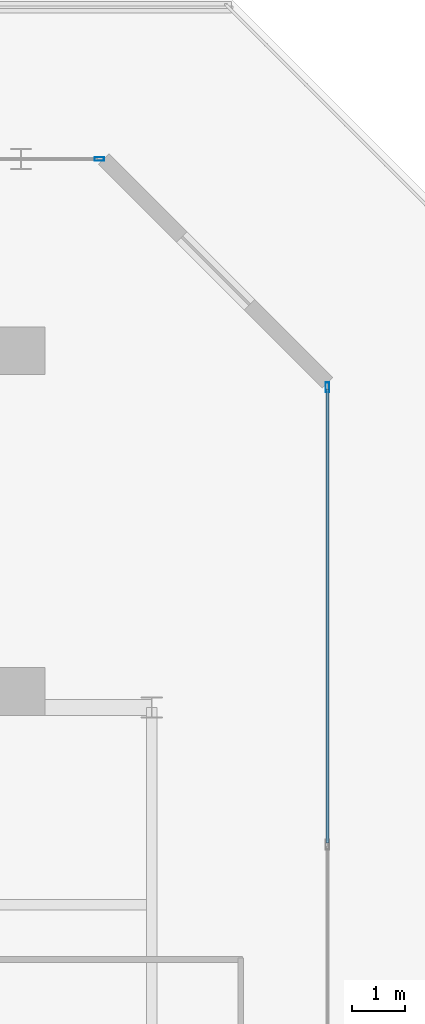
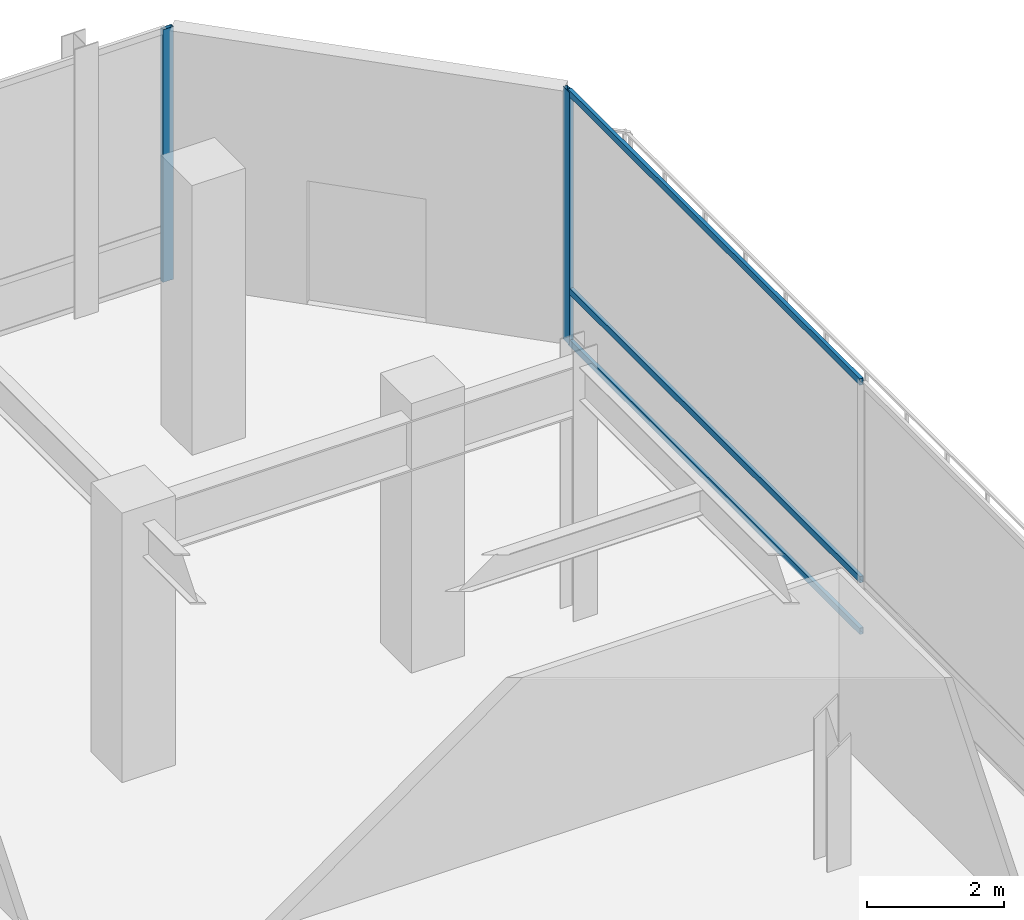
# One storey, part 24 of 39: 5 members, 2 elements without a shape of their own.
"""IFC4 building model written with IfcOpenShell, lengths in metres."""

from ifc_helpers import new_model, si_unit, direction, frame, origin, origin_2d, place, context, subcontext, project, spatial, hollow_rectangle, extrude, material, layer, layer_set, material_profile, profile_set, type_object, element, aggregate, save


model = new_model("IFC4")

# Units and contexts
model_context = context("Model", 3, precision=1e-05, world=origin(), true_north=direction((0.0, 1.0)))
body_context = subcontext(model_context, "Body", "Model", "MODEL_VIEW")
ifc_project = project(units=[si_unit("LENGTHUNIT", "METRE"), si_unit("AREAUNIT", "SQUARE_METRE"), si_unit("VOLUMEUNIT", "CUBIC_METRE"), si_unit("PLANEANGLEUNIT", "RADIAN"), si_unit("MASSUNIT", "GRAM", prefix="KILO")], contexts=[model_context])

# Site, building, storey
site_placement = place(None, origin())
site = spatial("IfcSite", under=ifc_project, at=site_placement, CompositionType="ELEMENT")
building_placement = place(site_placement, origin())
building = spatial("IfcBuilding", under=site, at=building_placement, Name="Qianvela Tower", CompositionType="ELEMENT")
storey_placement = place(building_placement, frame((0.0, 0.0, 15.800048828125)))
storey = spatial("IfcBuildingStorey", under=building, at=storey_placement, Name="L03", CompositionType="ELEMENT", Elevation=15.800048828125)

# Curtain wall, member
ifc_material_1 = material(Name="Anodised Architectural Aluminium and Low-E Glass", Category="aluminium")
ifc_layer = layer(ifc_material_1, 0.179931640625)
ifc_layer_set = layer_set([ifc_layer], Name="Anodised Architectural Aluminium and Low-E Glass")
curtain_wall_type = type_object("IfcCurtainWallType", Name="CW-COMMONS", PredefinedType="USERDEFINED", material=ifc_layer_set)
curtain_wall_1_placement = place(storey_placement, origin())
curtain_wall_1 = element("IfcCurtainWall", 1, at=curtain_wall_1_placement, inside=storey, type_object=curtain_wall_type, Name="L03 CW-COMMONS Curtain Wall 03", ObjectType="CURTAIN_WALL_SYSTEM", PredefinedType="USERDEFINED")
ifc_material_2 = material(Name="Anodised Architectural Aluminium 6063-T6", Category="aluminium")
ifc_material_profile_1 = material_profile(ifc_material_2, hollow_rectangle(XDim=0.070068359375, YDim=0.179931640625, WallThickness=0.0048828125, at=origin_2d()), Name="ALU-MULL-70x180")
ifc_profile_set_1 = profile_set([ifc_material_profile_1], Name="Anodised Architectural Aluminium 6063-T6")
member_type_1 = type_object("IfcMemberType", Name="CW-COMMONS-MULL", PredefinedType="MULLION", material=ifc_profile_set_1)
member_1_placement = place(storey_placement, frame((70.800048828125, 43.215087890625, 0.0), z_axis=(0.0, 0.0, 1.0), x_axis=(-1.0, 0.0, 0.0)))
member_1 = element("IfcMember", 2, at=member_1_placement, type_object=member_type_1, Name="CW-2 mullion 5", PredefinedType="MULLION", context=body_context, shape_type="SweptSolid", body=[
    extrude(hollow_rectangle(XDim=0.070068359375, YDim=0.179931640625, WallThickness=0.0048828125, at=origin_2d()), origin(), (0.0, 0.0, 1.0), 4.5),
])

curtain_wall_2_placement = place(storey_placement, origin())
curtain_wall_2 = element("IfcCurtainWall", 3, at=curtain_wall_2_placement, inside=storey, type_object=curtain_wall_type, Name="L03 CW-COMMONS Curtain Wall 05", ObjectType="CURTAIN_WALL_SYSTEM", PredefinedType="USERDEFINED")
member_2_placement = place(storey_placement, frame((66.514892578125, 47.5, 0.0), z_axis=(0.0, 0.0, 1.0), x_axis=(0.0, -1.0, 0.0)))
member_2 = element("IfcMember", 4, at=member_2_placement, type_object=member_type_1, Name="CW-2 mullion 1", PredefinedType="MULLION", context=body_context, shape_type="SweptSolid", body=[
    extrude(hollow_rectangle(XDim=0.070068359375, YDim=0.179931640625, WallThickness=0.0048828125, at=origin_2d()), origin(), (0.0, 0.0, 1.0), 4.5),
])
aggregate(curtain_wall_2, [member_2])

# Member
ifc_material_3 = material(Name="Anodised Architectural Aluminium 6063-T6", Category="aluminium")
ifc_material_profile_2 = material_profile(ifc_material_3, hollow_rectangle(XDim=0.06005859375, YDim=0.114990234375, WallThickness=0.00390625, at=origin_2d()), Name="ALU-TRAN-60x115")
ifc_profile_set_2 = profile_set([ifc_material_profile_2], Name="Anodised Architectural Aluminium 6063-T6")
member_type_2 = type_object("IfcMemberType", Name="CW-COMMONS-TRAN", PredefinedType="USERDEFINED", material=ifc_profile_set_2)
member_3_placement = place(storey_placement, frame((70.800048828125, 34.659912109375, 0.030029296875), z_axis=(0.0, 1.0, 0.0), x_axis=(-1.0, 0.0, 0.0)))
member_3 = element("IfcMember", 5, at=member_3_placement, type_object=member_type_2, Name="CW-2 transom 4.1", ObjectType="TRANSOM", PredefinedType="USERDEFINED", context=body_context, shape_type="SweptSolid", body=[
    extrude(hollow_rectangle(XDim=0.06005859375, YDim=0.114990234375, WallThickness=0.00390625, at=origin_2d()), origin(), (0.0, 0.0, 1.0), 8.52001953125),
])

member_4_placement = place(storey_placement, frame((70.800048828125, 34.659912109375, 0.949951171875), z_axis=(0.0, 1.0, 0.0), x_axis=(-1.0, 0.0, 0.0)))
member_4 = element("IfcMember", 6, at=member_4_placement, type_object=member_type_2, Name="CW-2 transom 4.2", ObjectType="TRANSOM", PredefinedType="USERDEFINED", context=body_context, shape_type="SweptSolid", body=[
    extrude(hollow_rectangle(XDim=0.06005859375, YDim=0.114990234375, WallThickness=0.00390625, at=origin_2d()), origin(), (0.0, 0.0, 1.0), 8.52001953125),
])

member_5_placement = place(storey_placement, frame((70.800048828125, 34.659912109375, 4.469970703125), z_axis=(0.0, 1.0, 0.0), x_axis=(-1.0, 0.0, 0.0)))
member_5 = element("IfcMember", 7, at=member_5_placement, type_object=member_type_2, Name="CW-2 transom 4.3", ObjectType="TRANSOM", PredefinedType="USERDEFINED", context=body_context, shape_type="SweptSolid", body=[
    extrude(hollow_rectangle(XDim=0.06005859375, YDim=0.114990234375, WallThickness=0.00390625, at=origin_2d()), origin(), (0.0, 0.0, 1.0), 8.52001953125),
])

aggregate(curtain_wall_1, [member_1, member_3, member_4, member_5])

save(model, "model.ifc")
